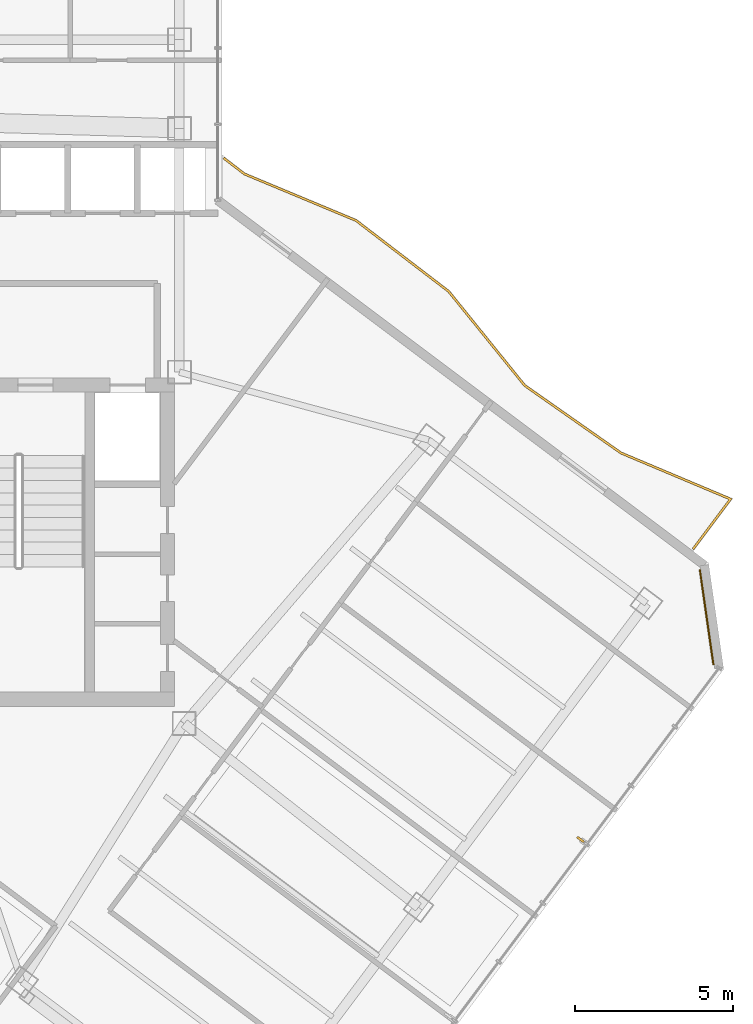
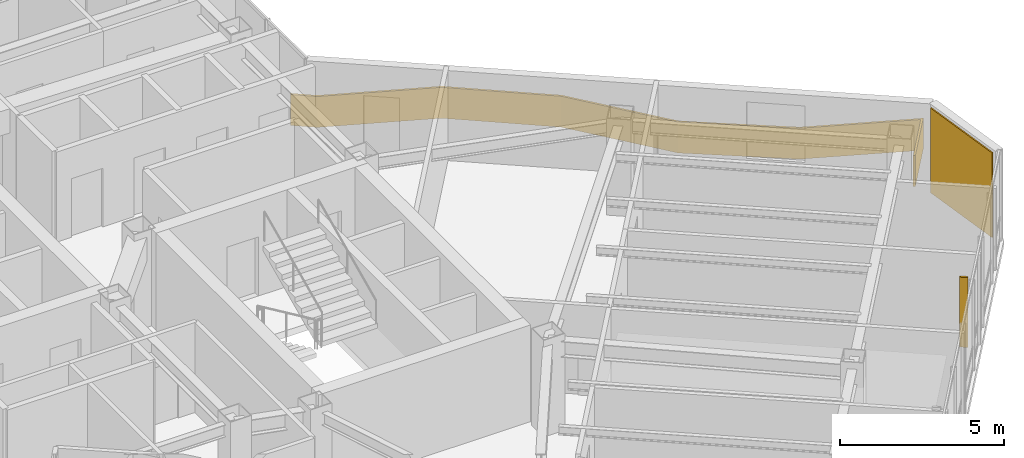
# One storey, part 25 of 26: 1 covering, 1 railing, 1 shading device.
"""IFC4 building model written with IfcOpenShell, lengths in metres."""

import ifcopenshell
import ifcopenshell.guid

model = None  # the IFC model being written
_history = None  # IfcOwnerHistory: only IFC2X3 demands one
_inside = {}  # id of a spatial element -> (the spatial element, [elements in it])
_under = {}  # id of a project, library or spatial element -> (it, [spatial elements below it])
_declared = {}  # id of a project -> (the project, [libraries it declares])
_typed = {}  # id of a type object -> (the type object, [elements of that type])
_made_of = {}  # id of a material, layer set ... -> (it, [elements and type objects made of it])


def new_model(schema):
    """Start an empty IFC model of exactly this schema.

    Asked for "IFC4X3", IfcOpenShell would pick the latest addendum, in which some entities
    have other attributes; the version numbers below select the first issue.
    IFC2X3 requires an IfcOwnerHistory on every rooted entity: one is made here for all.
    """
    global model, _history
    if schema == "IFC4X3":
        model = ifcopenshell.file(schema_version=(4, 3, 0, 0))
    else:
        model = ifcopenshell.file(schema=schema)
    _inside.clear()
    _under.clear()
    _declared.clear()
    _typed.clear()
    _made_of.clear()
    _history = None
    if model.schema == "IFC2X3":
        org = make("IfcOrganization", Name="unknown")
        user = make(
            "IfcPersonAndOrganization",
            ThePerson=make("IfcPerson", FamilyName="unknown"),
            TheOrganization=org,
        )
        app = make(
            "IfcApplication",
            ApplicationDeveloper=org,
            Version="unknown",
            ApplicationFullName="unknown",
            ApplicationIdentifier="unknown",
        )
        _history = make(
            "IfcOwnerHistory",
            OwningUser=user,
            OwningApplication=app,
            ChangeAction="ADDED",
            CreationDate=0,
        )
    return model


def make(cls, **values):
    """One entity of the class cls with the attributes given. An attribute that is None is left unset."""
    return model.create_entity(
        cls, **{name: value for name, value in values.items() if value is not None}
    )


def rooted(cls, **values):
    """An entity with a GlobalId (a new one), such as an element, a storey or a relation."""
    return make(cls, GlobalId=ifcopenshell.guid.new(), OwnerHistory=_history, **values)


def si_unit(unit_type, name, prefix=None):
    """IfcSIUnit, for example si_unit("LENGTHUNIT", "METRE", prefix="MILLI")."""
    return make("IfcSIUnit", UnitType=unit_type, Prefix=prefix, Name=name)


def assignment(units):
    """IfcUnitAssignment: the units of a project."""
    return None if units is None else make("IfcUnitAssignment", Units=units)


def point(xyz):
    """IfcCartesianPoint."""
    return None if xyz is None else make("IfcCartesianPoint", Coordinates=xyz)


def direction(xyz):
    """IfcDirection."""
    return None if xyz is None else make("IfcDirection", DirectionRatios=xyz)


def frame(location, z_axis=None, x_axis=None):
    """IfcAxis2Placement3D, a coordinate frame: its origin and axes. An axis left out is left unset."""
    return make(
        "IfcAxis2Placement3D",
        Location=point(location),
        Axis=direction(z_axis),
        RefDirection=direction(x_axis),
    )


def frame_2d(location, x_axis=None):
    """IfcAxis2Placement2D, a coordinate frame in the plane: its origin and x axis."""
    return make(
        "IfcAxis2Placement2D", Location=point(location), RefDirection=direction(x_axis)
    )


def origin():
    """The frame at (0, 0, 0) with its axes left unset."""
    return frame((0.0, 0.0, 0.0))


def origin_2d():
    """The frame at (0, 0) in the plane with its x axis left unset."""
    return frame_2d((0.0, 0.0))


def place(relative_to, where):
    """IfcLocalPlacement: puts the frame where relative to a parent placement (None: the world)."""
    return make(
        "IfcLocalPlacement", PlacementRelTo=relative_to, RelativePlacement=where
    )


def context(
    kind, dimensions, precision=None, world=None, true_north=None, identifier=None
):
    """IfcGeometricRepresentationContext, for example the 3D "Model" context."""
    return make(
        "IfcGeometricRepresentationContext",
        ContextIdentifier=identifier,
        ContextType=kind,
        CoordinateSpaceDimension=dimensions,
        Precision=precision,
        WorldCoordinateSystem=world,
        TrueNorth=true_north,
    )


def subcontext(parent, identifier, kind, view, scale=None):
    """IfcGeometricRepresentationSubContext, for example "Body" below "Model"."""
    return make(
        "IfcGeometricRepresentationSubContext",
        ContextIdentifier=identifier,
        ContextType=kind,
        ParentContext=parent,
        TargetScale=scale,
        TargetView=view,
    )


def project(units=None, contexts=None):
    """IfcProject with its units and contexts."""
    return rooted(
        "IfcProject",
        Name="project",
        RepresentationContexts=contexts,
        UnitsInContext=assignment(units),
    )


def spatial(cls, under=None, at=None, **own):
    """A site, building, storey or space (cls), placed at a placement, below another one or the project."""
    s = rooted(cls, ObjectPlacement=at, **own)
    if under is not None:
        _under.setdefault(under.id(), (under, []))[1].append(s)
    return s


def polyline(points):
    """IfcPolyline through the points."""
    return make("IfcPolyline", Points=[point(p) for p in points])


def profile(cls, at=None, kind="AREA", **sizes):
    """A parametric profile (cls). Its sizes go by their IFC names, for example OverallWidth=200.0."""
    return make(cls, ProfileType=kind, Position=at, **sizes)


def rectangle(**sizes):
    """IfcRectangleProfileDef."""
    return profile("IfcRectangleProfileDef", **sizes)


def outline(outer, holes=None, kind="AREA"):
    """IfcArbitraryClosedProfileDef: a profile drawn as a closed curve; with holes, ...WithVoids."""
    if holes is None:
        return make("IfcArbitraryClosedProfileDef", ProfileType=kind, OuterCurve=outer)
    return make(
        "IfcArbitraryProfileDefWithVoids",
        ProfileType=kind,
        OuterCurve=outer,
        InnerCurves=holes,
    )


def extrude(swept, where, along, depth):
    """IfcExtrudedAreaSolid: the profile swept, set in the frame where, extruded along a direction by depth."""
    return make(
        "IfcExtrudedAreaSolid",
        SweptArea=swept,
        Position=where,
        ExtrudedDirection=direction(along),
        Depth=depth,
    )


def shape(context_of_items, identifier, shape_type, items):
    """IfcShapeRepresentation: the items that make up one representation, for example the "Body"."""
    return make(
        "IfcShapeRepresentation",
        ContextOfItems=context_of_items,
        RepresentationIdentifier=identifier,
        RepresentationType=shape_type,
        Items=items,
    )


def material(Name=None, Category=None):
    """IfcMaterial."""
    return make("IfcMaterial", Name=Name, Category=Category)


def layer(
    of_material, thickness, ventilated=None, Name=None, Category=None, Priority=None
):
    """IfcMaterialLayer: one layer of a wall or slab, of a material (None: an air gap)."""
    return make(
        "IfcMaterialLayer",
        Material=of_material,
        LayerThickness=thickness,
        IsVentilated=ventilated,
        Name=Name,
        Category=Category,
        Priority=Priority,
    )


def layer_set(layers, Name=None):
    """IfcMaterialLayerSet."""
    return make("IfcMaterialLayerSet", MaterialLayers=layers, LayerSetName=Name)


def made_of(thing, what):
    """Note that an element or type object is made of a material, layer set ...; save() writes the relation."""
    if what is not None:
        _made_of.setdefault(what.id(), (what, []))[1].append(thing)
    return thing


def type_object(cls, material=None, **own):
    """A type object (cls), such as IfcWallType, which elements share."""
    return made_of(rooted(cls, **own), material)


def element(
    cls,
    number,
    at=None,
    inside=None,
    cuts=None,
    type_object=None,
    material=None,
    context=None,
    identifier="Body",
    shape_type=None,
    held_by="IfcProductDefinitionShape",
    body=None,
    shapes=None,
    **own,
):
    """One element of the class cls, such as IfcWall. Its Tag is "e" and its number.

    at: its placement. inside: the storey or other place that contains it. cuts: it is an
    opening in that element (IfcRelVoidsElement). A single representation is given by context,
    identifier, shape_type and body (its items); several are given by shapes. held_by: the class
    of the entity that holds the representations. save() writes the other relations.
    """
    e = rooted(cls, Tag="e%d" % number, ObjectPlacement=at, **own)
    if body is not None:
        shapes = [shape(context, identifier, shape_type, body)]
    if shapes is not None:
        e.Representation = make(held_by, Representations=shapes)
    if inside is not None:
        _inside.setdefault(inside.id(), (inside, []))[1].append(e)
    if cuts is not None:
        rooted(
            "IfcRelVoidsElement", RelatingBuildingElement=cuts, RelatedOpeningElement=e
        )
    if type_object is not None:
        _typed.setdefault(type_object.id(), (type_object, []))[1].append(e)
    return made_of(e, material)


def aggregate(whole, parts):
    """IfcRelAggregates: a whole, such as a stair, and the parts it consists of."""
    return rooted("IfcRelAggregates", RelatingObject=whole, RelatedObjects=parts)


def save(model, path):
    """Write the relations noted so far, then the file.

    IfcRelAggregates (storeys below a building ...), IfcRelContainedInSpatialStructure (elements
    in a storey), IfcRelDefinesByType, IfcRelAssociatesMaterial and IfcRelDeclares: one each for
    every whole, place, type object, material and project.
    """
    for whole, parts in _under.values():
        aggregate(whole, parts)
    for where, things in _inside.values():
        rooted(
            "IfcRelContainedInSpatialStructure",
            RelatedElements=things,
            RelatingStructure=where,
        )
    for kind, things in _typed.values():
        rooted("IfcRelDefinesByType", RelatedObjects=things, RelatingType=kind)
    for what, things in _made_of.values():
        rooted("IfcRelAssociatesMaterial", RelatedObjects=things, RelatingMaterial=what)
    for by, libraries in _declared.values():
        rooted("IfcRelDeclares", RelatingContext=by, RelatedDefinitions=libraries)
    model.write(path)


model = new_model("IFC4")

# Units and contexts
model_context = context("Model", 3, precision=1e-05, world=origin(), true_north=direction((0.0, 1.0)))
body_context = subcontext(model_context, "Body", "Model", "MODEL_VIEW")
ifc_project = project(units=[si_unit("LENGTHUNIT", "METRE"), si_unit("AREAUNIT", "SQUARE_METRE"), si_unit("VOLUMEUNIT", "CUBIC_METRE"), si_unit("PLANEANGLEUNIT", "RADIAN"), si_unit("MASSUNIT", "GRAM", prefix="KILO")], contexts=[model_context])

# Site, building, storey
site_placement = place(None, origin())
site = spatial("IfcSite", under=ifc_project, at=site_placement, CompositionType="ELEMENT")
building_placement = place(site_placement, origin())
building = spatial("IfcBuilding", under=site, at=building_placement, Name="Hatsunagi Terrace Concourse", CompositionType="ELEMENT")
storey_placement = place(building_placement, frame((0.0, 0.0, 195.14990234375)))
storey = spatial("IfcBuildingStorey", under=building, at=storey_placement, Name="L51", CompositionType="ELEMENT", Elevation=195.14990234375)

# Railing
ifc_material_1 = material(Name="Laminated Glass and Stainless Steel Guard", Category="steel")
ifc_layer_1 = layer(ifc_material_1, 0.070068359375)
ifc_layer_set_1 = layer_set([ifc_layer_1], Name="BalconyGlassGuardRail_1150")
railing_type = type_object("IfcRailingType", Name="BalconyGlassGuardRail_1150", PredefinedType="BALUSTRADE", material=ifc_layer_set_1)
railing_placement = place(storey_placement, origin())
element("IfcRailing", 1, at=railing_placement, inside=storey, type_object=railing_type, Name="Engawa Balcony Guard GRD-01 L51-BSE-1", PredefinedType="BALUSTRADE", context=body_context, shape_type="SweptSolid", body=[
    extrude(outline(polyline([(45.0673828125, 42.0908203125), (45.024658203125, 42.03515625), (45.684326171875, 41.528564453125), (49.208251953125, 40.059326171875), (52.12841796875, 37.82373046875), (54.52880859375, 34.853271484375), (57.576904296875, 32.71630859375), (61.0, 31.275146484375), (59.842041015625, 29.73095703125), (59.89794921875, 29.68896484375), (61.10986328125, 31.304931640625), (57.611083984375, 32.77783203125), (54.5771484375, 34.90478515625), (52.177490234375, 37.874267578125), (49.24365234375, 40.12060546875), (45.7197265625, 41.589599609375), (45.0673828125, 42.0908203125)])), origin(), (0.0, 0.0, 1.0), 1.150146484375),
])

# Shading device
ifc_material_2 = material(Name="Extruded Unglazed Terracotta Baguette", Category="masonry")
shading_device_type = type_object("IfcShadingDeviceType", Name="TerracottaFinScreen_260x70", PredefinedType="USERDEFINED", material=ifc_material_2)
shading_device_placement = place(storey_placement, frame((56.31591796875, 20.5390625, 0.85009765625), z_axis=(0.0, 0.0, 1.0), x_axis=(-0.599969314634, -0.800023013105, 0.0)))
element("IfcShadingDevice", 2, at=shading_device_placement, inside=storey, type_object=shading_device_type, Name="Terracotta Baguette Fin Screen SCR-01", ObjectType="SUNSHADE", PredefinedType="USERDEFINED", context=body_context, shape_type="SweptSolid", body=[
    extrude(rectangle(XDim=0.070068359375, YDim=0.260009765625, at=origin_2d()), origin(), (0.0, 0.0, 1.0), 2.60009765625),
])

# Covering
ifc_material_3 = material(Name="Unglazed Warm Terracotta Rainscreen Tile", Category="masonry")
ifc_layer_2 = layer(ifc_material_3, 0.044921875)
ifc_layer_set_2 = layer_set([ifc_layer_2], Name="TerracottaRainscreenCladding_45")
covering_type = type_object("IfcCoveringType", Name="TerracottaRainscreenCladding_45", PredefinedType="CLADDING", material=ifc_layer_set_2)
covering_placement = place(storey_placement, frame((60.301025390625, 27.55810546875, 0.10009765625), z_axis=(0.0, 0.0, 1.0), x_axis=(0.141250262458, -0.989973920543, 0.0)))
element("IfcCovering", 3, at=covering_placement, inside=storey, type_object=covering_type, Name="Terracotta Rainscreen Cladding L51-02", PredefinedType="CLADDING", context=body_context, shape_type="SweptSolid", body=[
    extrude(rectangle(XDim=3.0380859375, YDim=0.044921875, at=origin_2d()), origin(), (0.0, 0.0, 1.0), 3.14990234375),
])

save(model, "model.ifc")
